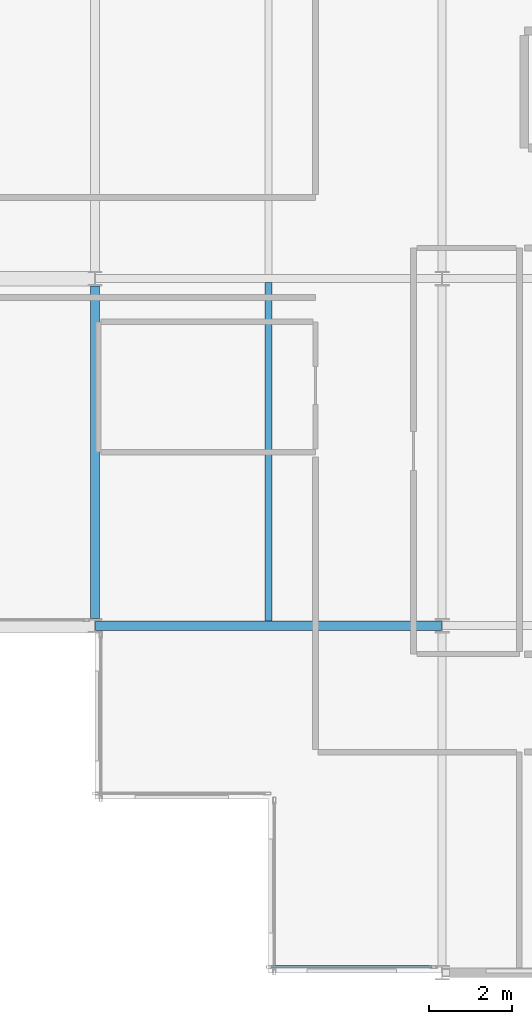
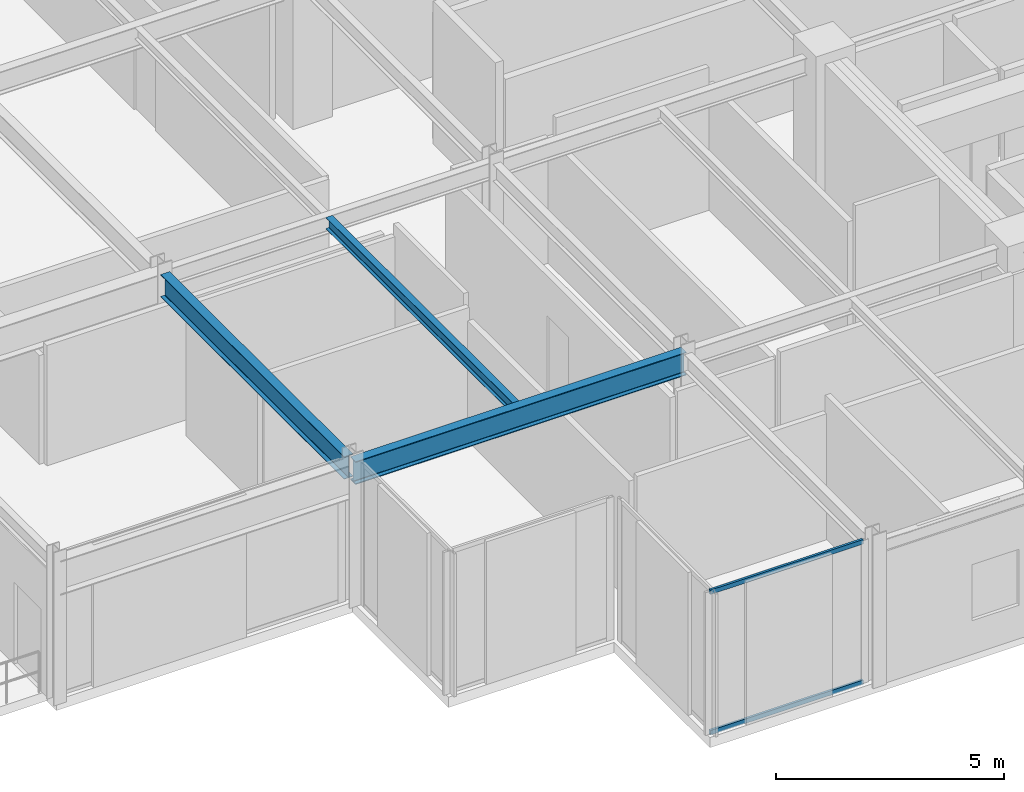
# One storey, part 5 of 29: 3 beams, 2 members, 1 element without a shape of its own.
"""IFC4 building model written with IfcOpenShell, lengths in metres."""

from ifc_helpers import new_model, si_unit, direction, frame, origin, origin_2d, place, context, subcontext, project, spatial, hollow_rectangle, i_section, extrude, material, layer, layer_set, material_profile, profile_set, type_object, element, aggregate, save


model = new_model("IFC4")

# Units and contexts
model_context = context("Model", 3, precision=1e-05, world=origin(), true_north=direction((0.0, 1.0)))
body_context = subcontext(model_context, "Body", "Model", "MODEL_VIEW")
ifc_project = project(units=[si_unit("LENGTHUNIT", "METRE"), si_unit("AREAUNIT", "SQUARE_METRE"), si_unit("VOLUMEUNIT", "CUBIC_METRE"), si_unit("PLANEANGLEUNIT", "RADIAN"), si_unit("MASSUNIT", "GRAM", prefix="KILO")], contexts=[model_context])

# Site, building, storey
site_placement = place(None, origin())
site = spatial("IfcSite", under=ifc_project, at=site_placement, CompositionType="ELEMENT")
building_placement = place(site_placement, origin())
building = spatial("IfcBuilding", under=site, at=building_placement, Name="Nerrivon Quay Data Exchange", CompositionType="ELEMENT")
storey_placement = place(building_placement, frame((0.0, 0.0, 175.5)))
storey = spatial("IfcBuildingStorey", under=building, at=storey_placement, Name="L41", CompositionType="ELEMENT", Elevation=175.5)

# Beams
ifc_material_1 = material(Name="Steel Grade 350", Category="steel")
ifc_material_profile_1 = material_profile(ifc_material_1, i_section(OverallWidth=0.22900390625, OverallDepth=0.612060546875, WebThickness=0.011962890625, FlangeThickness=0.01953125, FilletRadius=0.013916015625, at=origin_2d()), Name="610UB125")
ifc_profile_set_1 = profile_set([ifc_material_profile_1], Name="Steel Grade 350")
beam_type_1 = type_object("IfcBeamType", Name="BM-G1-610UB125", PredefinedType="BEAM", material=ifc_profile_set_1)
beam_1_placement = place(storey_placement, frame((0.010009765625, 8.39990234375, 3.51904296875), z_axis=(1.0, 0.0, 0.0), x_axis=(0.0, 1.0, 0.0)))
element("IfcBeam", 1, at=beam_1_placement, inside=storey, type_object=beam_type_1, Name="L41 EW Girder Y=8.4 (0.0..8.4)", PredefinedType="BEAM", context=body_context, shape_type="SweptSolid", body=[
    extrude(i_section(OverallWidth=0.22900390625, OverallDepth=0.612060546875, WebThickness=0.011962890625, FlangeThickness=0.01953125, FilletRadius=0.013916015625, at=origin_2d()), origin(), (0.0, 0.0, 1.0), 8.3798828125),
])
ifc_material_profile_2 = material_profile(ifc_material_1, i_section(OverallWidth=0.22802734375, OverallDepth=0.60205078125, WebThickness=0.010498046875, FlangeThickness=0.014892578125, FilletRadius=0.013916015625, at=origin_2d()), Name="610UB101")
ifc_profile_set_2 = profile_set([ifc_material_profile_2], Name="Steel Grade 350")
beam_type_2 = type_object("IfcBeamType", Name="BM-G2-610UB101", PredefinedType="BEAM", material=ifc_profile_set_2)
beam_2_placement = place(storey_placement, frame((0.0, 8.574951171875, 3.52392578125), z_axis=(0.0, 1.0, 0.0), x_axis=(-1.0, 0.0, 0.0)))
element("IfcBeam", 2, at=beam_2_placement, inside=storey, type_object=beam_type_2, Name="L41 NS Girder X=0.0 (8.4..16.8)", PredefinedType="BEAM", context=body_context, shape_type="SweptSolid", body=[
    extrude(i_section(OverallWidth=0.22802734375, OverallDepth=0.60205078125, WebThickness=0.010498046875, FlangeThickness=0.014892578125, FilletRadius=0.013916015625, at=origin_2d()), origin(), (0.0, 0.0, 1.0), 8.050048828125),
])
ifc_material_profile_3 = material_profile(ifc_material_1, i_section(OverallWidth=0.166015625, OverallDepth=0.306884765625, WebThickness=0.006591796875, FlangeThickness=0.01171875, FilletRadius=0.011474609375, at=origin_2d()), Name="310UB46.2")
ifc_profile_set_3 = profile_set([ifc_material_profile_3], Name="Steel Grade 350")
beam_type_3 = type_object("IfcBeamType", Name="BM-J5-310UB46", PredefinedType="JOIST", material=ifc_profile_set_3)
beam_3_placement = place(storey_placement, frame((4.199951171875, 8.514404296875, 3.67138671875), z_axis=(0.0, 1.0, 0.0), x_axis=(-1.0, 0.0, 0.0)))
element("IfcBeam", 3, at=beam_3_placement, inside=storey, type_object=beam_type_3, Name="L41 Secondary Joist X=4.2 (8.4..16.8)", PredefinedType="JOIST", context=body_context, shape_type="SweptSolid", body=[
    extrude(i_section(OverallWidth=0.166015625, OverallDepth=0.306884765625, WebThickness=0.006591796875, FlangeThickness=0.01171875, FilletRadius=0.011474609375, at=origin_2d()), origin(), (0.0, 0.0, 1.0), 8.190185546875),
])

# Curtain wall, members
ifc_material_2 = material(Name="Anodised aluminium 6063-T6", Category="aluminium")
ifc_layer = layer(ifc_material_2, 0.195068359375)
ifc_layer_set = layer_set([ifc_layer], Name="Anodised aluminium 6063-T6")
curtain_wall_type = type_object("IfcCurtainWallType", Name="CW-SYS-06", PredefinedType="NOTDEFINED", material=ifc_layer_set)
curtain_wall_placement = place(storey_placement, origin())
curtain_wall = element("IfcCurtainWall", 4, at=curtain_wall_placement, inside=storey, type_object=curtain_wall_type, Name="L41 Unitised Curtain Wall 28", PredefinedType="NOTDEFINED")
ifc_material_profile_4 = material_profile(ifc_material_2, hollow_rectangle(XDim=0.06005859375, YDim=0.1201171875, WallThickness=0.003173828125, at=origin_2d()), Name="ALU-TRAN-120x60")
ifc_profile_set_4 = profile_set([ifc_material_profile_4], Name="Anodised aluminium 6063-T6")
member_type = type_object("IfcMemberType", Name="CWT-120x60", PredefinedType="USERDEFINED", material=ifc_profile_set_4)
member_1_placement = place(storey_placement, frame((8.14990234375, 0.139892578125, 0.032470703125), z_axis=(-1.0, 0.0, 0.0), x_axis=(0.0, -1.0, 0.0)))
member_1 = element("IfcMember", 5, at=member_1_placement, type_object=member_type, Name="CW06 transom 1.1", ObjectType="TRANSOM", PredefinedType="USERDEFINED", context=body_context, shape_type="SweptSolid", body=[
    extrude(hollow_rectangle(XDim=0.06005859375, YDim=0.1201171875, WallThickness=0.003173828125, at=origin_2d()), origin(), (0.0, 0.0, 1.0), 3.875),
])
member_2_placement = place(storey_placement, frame((8.14990234375, 0.139892578125, 3.79248046875), z_axis=(-1.0, 0.0, 0.0), x_axis=(0.0, -1.0, 0.0)))
member_2 = element("IfcMember", 6, at=member_2_placement, type_object=member_type, Name="CW06 transom 1.2", ObjectType="TRANSOM", PredefinedType="USERDEFINED", context=body_context, shape_type="SweptSolid", body=[
    extrude(hollow_rectangle(XDim=0.06005859375, YDim=0.1201171875, WallThickness=0.003173828125, at=origin_2d()), origin(), (0.0, 0.0, 1.0), 3.875),
])
aggregate(curtain_wall, [member_1, member_2])

save(model, "model.ifc")
